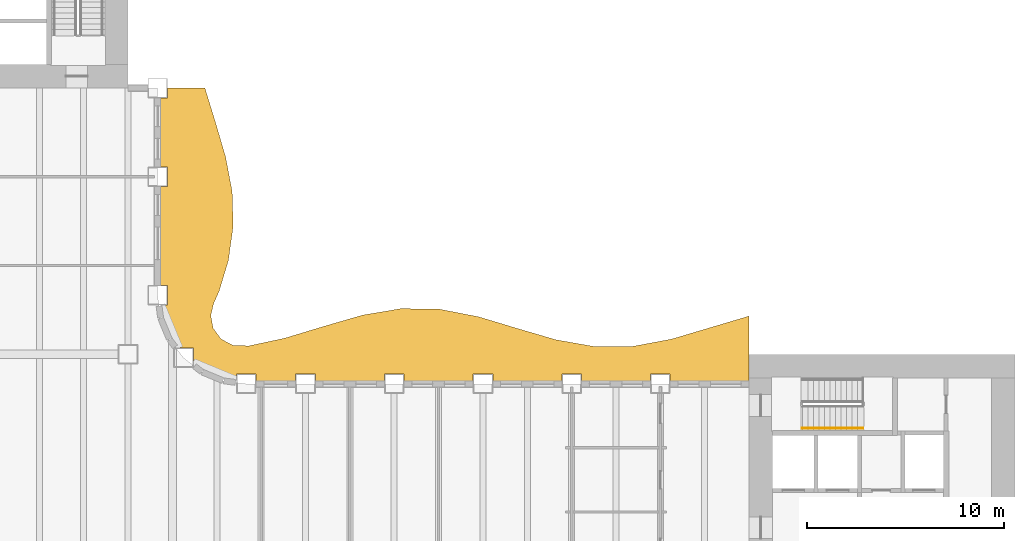
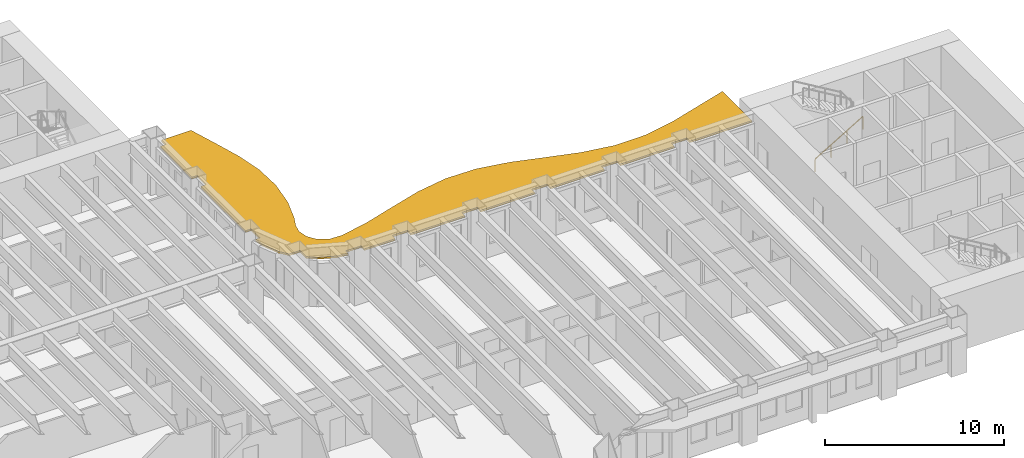
# One storey, part 14 of 16: 1 railing, 1 shading device.
"""IFC4 building model written with IfcOpenShell, lengths in metres."""

from ifc_helpers import new_model, si_unit, direction, frame, origin, origin_2d, place, context, subcontext, project, spatial, polyline, rectangle, outline, extrude, material, layer, layer_set, type_object, element, save


model = new_model("IFC4")

# Units and contexts
model_context = context("Model", 3, precision=1e-05, world=origin(), true_north=direction((0.0, 1.0)))
body_context = subcontext(model_context, "Body", "Model", "MODEL_VIEW")
ifc_project = project(units=[si_unit("LENGTHUNIT", "METRE"), si_unit("AREAUNIT", "SQUARE_METRE"), si_unit("VOLUMEUNIT", "CUBIC_METRE"), si_unit("PLANEANGLEUNIT", "RADIAN"), si_unit("MASSUNIT", "GRAM", prefix="KILO")], contexts=[model_context])

# Site, building, storey
site_placement = place(None, origin())
site = spatial("IfcSite", under=ifc_project, at=site_placement, CompositionType="ELEMENT")
building_placement = place(site_placement, origin())
building = spatial("IfcBuilding", under=site, at=building_placement, Name="Sennacour Bend Tower", CompositionType="ELEMENT")
storey_placement = place(building_placement, frame((0.0, 0.0, 99.0)))
storey = spatial("IfcBuildingStorey", under=building, at=storey_placement, Name="L22", CompositionType="ELEMENT", Elevation=99.0)

# Railing
ifc_material_1 = material(Name="Stainless steel", Category="steel")
railing_type = type_object("IfcRailingType", Name="RL-HANDRAIL-900", PredefinedType="HANDRAIL", material=ifc_material_1)
railing_placement = place(storey_placement, frame((56.699951171875, 18.75, 0.166748046875)))
element("IfcRailing", 1, at=railing_placement, inside=storey, type_object=railing_type, Name="L22 SA2 stair handrail 1", PredefinedType="HANDRAIL", context=body_context, shape_type="SweptSolid", body=[
    extrude(rectangle(XDim=0.048095703125, YDim=0.048095703125, at=origin_2d()), frame((0.0, 0.0, 0.8759765625), z_axis=(0.859308565015, 0.0, 0.511457515432), x_axis=(0.0, 1.0, 0.0)), (0.0, 0.0, 1.0), 3.58447265625),
    extrude(rectangle(XDim=0.0419921875, YDim=0.0419921875, at=origin_2d()), origin(), (0.0, 0.0, 1.0), 0.851806640625),
    extrude(rectangle(XDim=0.0419921875, YDim=0.0419921875, at=origin_2d()), frame((1.026611328125, 0.0, 0.611083984375)), (0.0, 0.0, 1.0), 0.851806640625),
    extrude(rectangle(XDim=0.0419921875, YDim=0.0419921875, at=origin_2d()), frame((2.053466796875, 0.0, 1.22216796875)), (0.0, 0.0, 1.0), 0.851806640625),
    extrude(rectangle(XDim=0.0419921875, YDim=0.0419921875, at=origin_2d()), frame((3.080078125, 0.0, 1.833251953125)), (0.0, 0.0, 1.0), 0.851806640625),
])

# Shading device
ifc_material_2 = material(Name="Bronze anodised aluminium", Category="aluminium")
ifc_layer = layer(ifc_material_2, 0.1201171875, Name="Bronze anodised aluminium", Category="aluminium")
ifc_layer_set = layer_set([ifc_layer], Name="Bronze anodised aluminium")
shading_device_type = type_object("IfcShadingDeviceType", Name="SUNSHADE BAND WAVE", PredefinedType="USERDEFINED", material=ifc_layer_set)
shading_device_placement = place(storey_placement, frame((0.0, 0.0, 3.033935546875)))
element("IfcShadingDevice", 2, at=shading_device_placement, inside=storey, type_object=shading_device_type, Name="Sunshade band L22 concave faces", ObjectType="SUNSHADE", PredefinedType="USERDEFINED", context=body_context, shape_type="SweptSolid", body=[
    extrude(outline(polyline([(54.0, 21.14990234375), (50.0, 21.14990234375), (50.0, 21.5), (49.0, 21.5), (49.0, 21.14990234375), (45.5, 21.14990234375), (45.5, 21.5), (44.5, 21.5), (44.5, 21.14990234375), (41.0, 21.14990234375), (41.0, 21.5), (40.0, 21.5), (40.0, 21.14990234375), (36.5, 21.14990234375), (36.5, 21.5), (35.5, 21.5), (35.5, 21.14990234375), (32.0, 21.14990234375), (32.0, 21.5), (31.0, 21.5), (31.0, 21.14990234375), (29.0, 21.14990234375), (29.0, 21.5), (28.0, 21.5), (28.0, 21.217041015625), (27.37451171875, 21.299560546875), (26.32568359375, 21.73388671875), (25.818115234375, 22.123291015625), (25.818115234375, 22.818115234375), (25.123291015625, 22.818115234375), (24.73388671875, 23.32568359375), (24.299560546875, 24.37451171875), (24.217041015625, 25.0), (24.5, 25.0), (24.5, 26.0), (24.14990234375, 26.0), (24.14990234375, 31.0), (24.5, 31.0), (24.5, 32.0), (24.14990234375, 32.0), (24.14990234375, 35.5), (24.5, 35.5), (24.5, 36.0), (26.400634765625, 36.0), (26.939208984375, 34.25), (27.450927734375, 32.5), (27.781982421875, 30.75), (27.8330078125, 29.0), (27.58837890625, 27.25), (27.1220703125, 25.70458984375), (26.83544921875, 25.053955078125), (26.69677734375, 24.458984375), (26.818359375, 23.818359375), (27.214599609375, 23.2734375), (27.818359375, 22.955810546875), (28.626220703125, 22.92529296875), (30.46142578125, 23.320556640625), (32.423095703125, 23.914306640625), (34.384521484375, 24.484130859375), (36.34619140625, 24.81591796875), (38.3076171875, 24.785400390625), (40.269287109375, 24.404052734375), (42.230712890625, 23.81494140625), (44.1923828125, 23.23876953125), (46.15380859375, 22.89208984375), (48.115478515625, 22.904541015625), (50.076904296875, 23.271728515625), (52.03857421875, 23.85595703125), (54.0, 24.437744140625), (54.0, 21.14990234375)])), origin(), (0.0, 0.0, 1.0), 0.1201171875),
])

save(model, "model.ifc")
